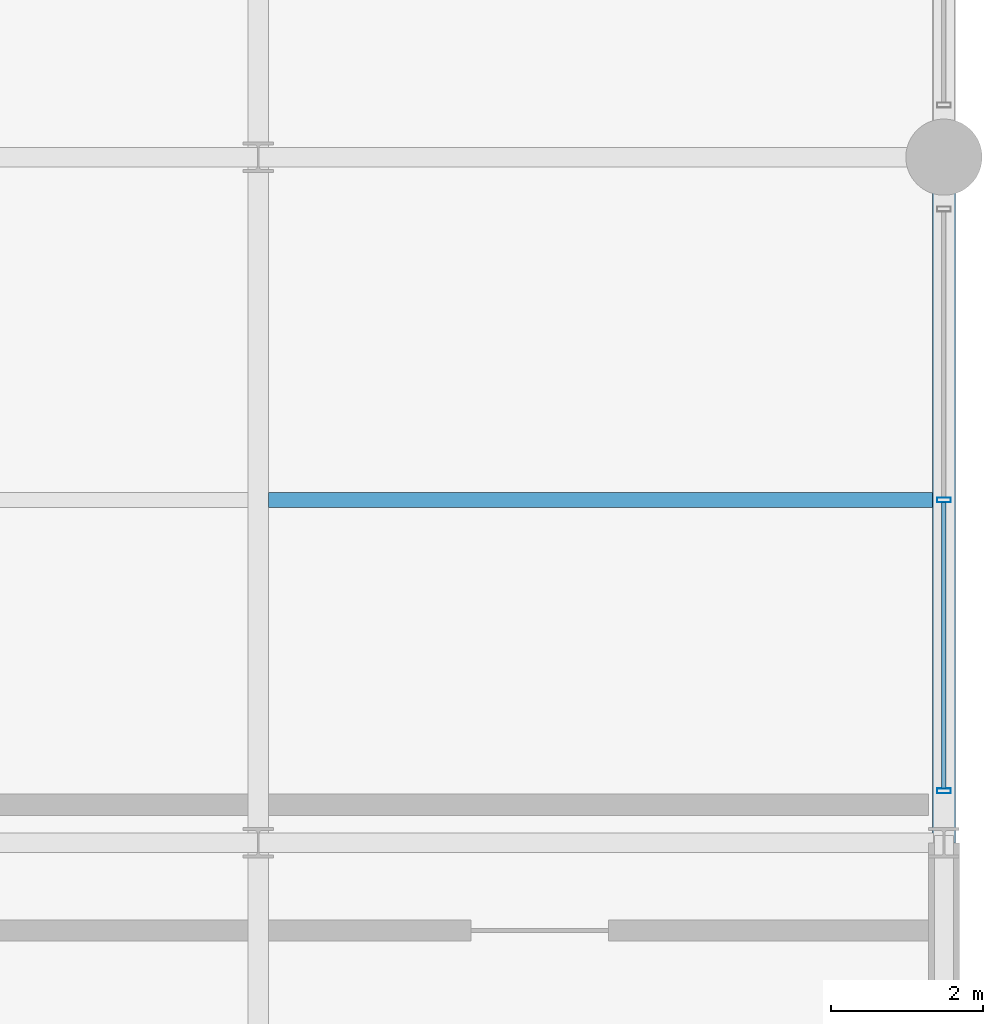
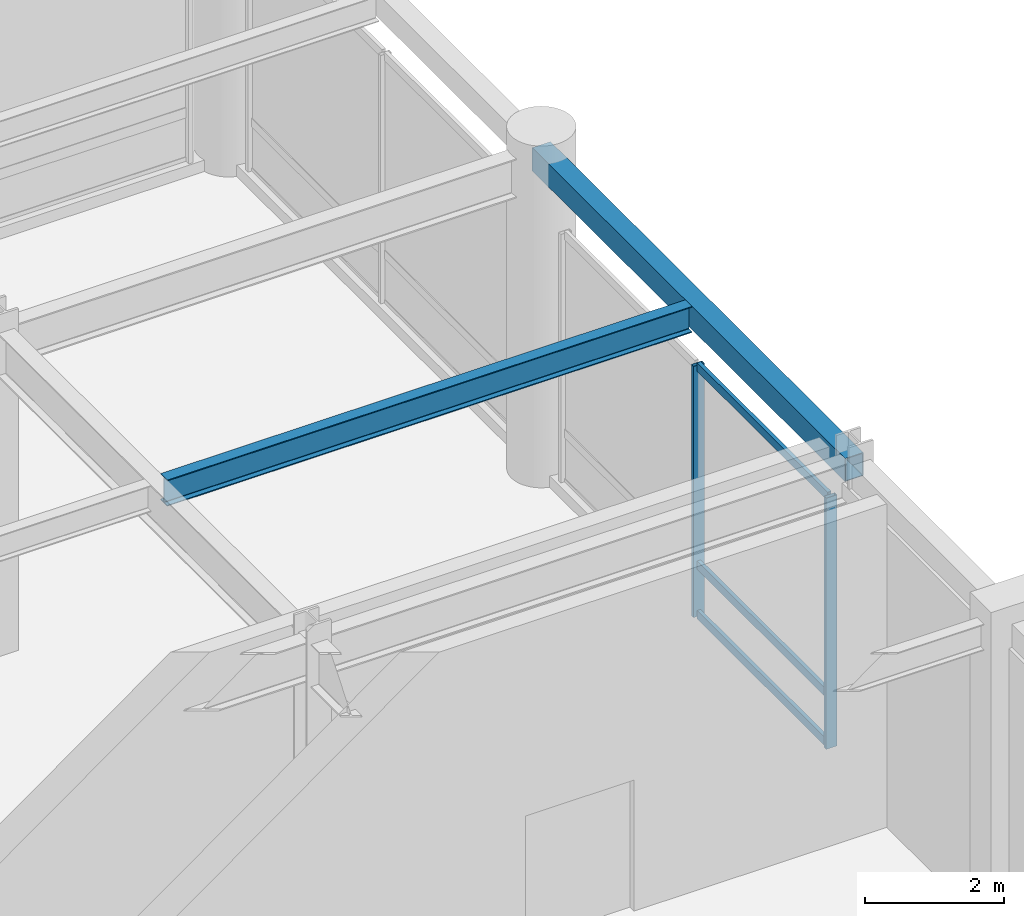
# One storey, part 43 of 105: 5 members, 2 beams, 1 element without a shape of its own.
"""IFC4 building model written with IfcOpenShell, lengths in metres."""

from ifc_helpers import new_model, si_unit, direction, frame, origin, origin_2d, place, context, subcontext, project, spatial, hollow_rectangle, i_section, extrude, material, material_profile, profile_set, type_object, element, aggregate, save


model = new_model("IFC4")

# Units and contexts
model_context = context("Model", 3, precision=1e-05, world=origin(), true_north=direction((0.0, 1.0)))
body_context = subcontext(model_context, "Body", "Model", "MODEL_VIEW")
ifc_project = project(units=[si_unit("LENGTHUNIT", "METRE"), si_unit("AREAUNIT", "SQUARE_METRE"), si_unit("VOLUMEUNIT", "CUBIC_METRE"), si_unit("PLANEANGLEUNIT", "RADIAN"), si_unit("MASSUNIT", "GRAM", prefix="KILO")], contexts=[model_context])

# Site, building, storey
site_placement = place(None, origin())
site = spatial("IfcSite", under=ifc_project, at=site_placement, CompositionType="ELEMENT")
building_placement = place(site_placement, origin())
building = spatial("IfcBuilding", under=site, at=building_placement, Name="Kaldorvane Square Convention Centre", CompositionType="ELEMENT")
storey_placement = place(building_placement, frame((0.0, 0.0, 6.0)))
storey = spatial("IfcBuildingStorey", under=building, at=storey_placement, Name="L01", CompositionType="ELEMENT", Elevation=6.0)

# Beams
ifc_material_1 = material(Name="Steel ASTM A992 Gr. 50", Category="steel")
ifc_material_profile_1 = material_profile(ifc_material_1, i_section(OverallWidth=0.1912994384765625, OverallDepth=0.4600067138671875, WebThickness=0.0099029541015625, FlangeThickness=0.0160064697265625, FilletRadius=0.01019287109375, at=origin_2d()), Name="W18X55")
ifc_profile_set_1 = profile_set([ifc_material_profile_1], Name="Steel ASTM A992 Gr. 50")
beam_type_1 = type_object("IfcBeamType", Name="BM-JS-W18X55", PredefinedType="JOIST", material=ifc_profile_set_1)
beam_1_placement = place(storey_placement, frame((165.13330078125, 22.5, 5.4459991455078125), z_axis=(1.0, 0.0, 0.0), x_axis=(0.0, 1.0, 0.0)))
element("IfcBeam", 1, at=beam_1_placement, inside=storey, type_object=beam_type_1, Name="Secondary Floor Joist (L01)", PredefinedType="JOIST", context=body_context, shape_type="SweptSolid", body=[
    extrude(i_section(OverallWidth=0.1912994384765625, OverallDepth=0.4600067138671875, WebThickness=0.0099029541015625, FlangeThickness=0.0160064697265625, FilletRadius=0.01019287109375, at=origin_2d()), origin(), (0.0, 0.0, 1.0), 8.71429443359375),
])
ifc_material_2 = material(Name="Steel ASTM A500 Gr. C", Category="steel")
ifc_material_profile_2 = material_profile(ifc_material_2, hollow_rectangle(XDim=0.3047943115234375, YDim=0.406402587890625, WallThickness=0.0117950439453125, at=origin_2d()), Name="HSS16X12X1/2")
ifc_profile_set_2 = profile_set([ifc_material_profile_2], Name="Steel ASTM A500 Gr. C")
beam_type_2 = type_object("IfcBeamType", Name="BM-SP-HSS16", PredefinedType="SPANDREL", material=ifc_profile_set_2)
beam_2_placement = place(storey_placement, frame((174.0, 18.0, 5.4727935791015625), z_axis=(0.0, 1.0, 0.0), x_axis=(-1.0, 0.0, 0.0)))
element("IfcBeam", 2, at=beam_2_placement, inside=storey, type_object=beam_type_2, Name="End Spandrel (L01)", PredefinedType="SPANDREL", context=body_context, shape_type="SweptSolid", body=[
    extrude(hollow_rectangle(XDim=0.3047943115234375, YDim=0.406402587890625, WallThickness=0.0117950439453125, at=origin_2d()), origin(), (0.0, 0.0, 1.0), 9.0),
])

# Curtain wall, members
ifc_material_3 = material(Name="Anodized Aluminum and Low-E Insulated Glazing", Category="aluminium")
curtain_wall_type = type_object("IfcCurtainWallType", Name="CW-UNI-P60-09", PredefinedType="USERDEFINED", material=ifc_material_3)
curtain_wall_placement = place(storey_placement, origin())
curtain_wall = element("IfcCurtainWall", 3, at=curtain_wall_placement, inside=storey, type_object=curtain_wall_type, Name="Curtain Wall CW-02 (L01)", ObjectType="UNITISED GLAZING", PredefinedType="USERDEFINED")
ifc_material_profile_3 = material_profile(ifc_material_3, hollow_rectangle(XDim=0.06500244140625, YDim=0.17999267578125, WallThickness=0.0034942626953125, at=origin_2d()), Name="CWM-180X65")
ifc_profile_set_3 = profile_set([ifc_material_profile_3], Name="Anodized Aluminum and Low-E Insulated Glazing")
member_type_1 = type_object("IfcMemberType", Name="CW-MUL-180", PredefinedType="MULLION", material=ifc_profile_set_3)
member_1_placement = place(storey_placement, frame((174.0, 18.6824951171875, 0.149993896484375), z_axis=(0.0, 0.0, 1.0), x_axis=(0.0, 1.0, 0.0)))
member_1 = element("IfcMember", 4, at=member_1_placement, type_object=member_type_1, Name="CW-02 mullion 1", PredefinedType="MULLION", context=body_context, shape_type="SweptSolid", body=[
    extrude(hollow_rectangle(XDim=0.06500244140625, YDim=0.17999267578125, WallThickness=0.0034942626953125, at=origin_2d()), origin(), (0.0, 0.0, 1.0), 4.410003662109375),
])
member_2_placement = place(storey_placement, frame((174.0, 22.5, 0.149993896484375), z_axis=(0.0, 0.0, 1.0), x_axis=(0.0, 1.0, 0.0)))
member_2 = element("IfcMember", 5, at=member_2_placement, type_object=member_type_1, Name="CW-02 mullion 2", PredefinedType="MULLION", context=body_context, shape_type="SweptSolid", body=[
    extrude(hollow_rectangle(XDim=0.06500244140625, YDim=0.17999267578125, WallThickness=0.0034942626953125, at=origin_2d()), origin(), (0.0, 0.0, 1.0), 4.410003662109375),
])
ifc_material_profile_4 = material_profile(ifc_material_3, hollow_rectangle(XDim=0.05999755859375, YDim=0.149993896484375, WallThickness=0.003204345703125, at=origin_2d()), Name="CWT-150X60")
ifc_profile_set_4 = profile_set([ifc_material_profile_4], Name="Anodized Aluminum and Low-E Insulated Glazing")
member_type_2 = type_object("IfcMemberType", Name="CW-TRN-150", PredefinedType="USERDEFINED", material=ifc_profile_set_4)
member_3_placement = place(storey_placement, frame((174.0, 18.714996337890625, 0.17999267578125), z_axis=(0.0, 1.0, 0.0), x_axis=(-1.0, 0.0, 0.0)))
member_3 = element("IfcMember", 6, at=member_3_placement, type_object=member_type_2, Name="CW-02 transom 1.1", ObjectType="TRANSOM", PredefinedType="USERDEFINED", context=body_context, shape_type="SweptSolid", body=[
    extrude(hollow_rectangle(XDim=0.05999755859375, YDim=0.149993896484375, WallThickness=0.003204345703125, at=origin_2d()), origin(), (0.0, 0.0, 1.0), 3.75250244140625),
])
member_4_placement = place(storey_placement, frame((174.0, 18.714996337890625, 1.0500030517578125), z_axis=(0.0, 1.0, 0.0), x_axis=(-1.0, 0.0, 0.0)))
member_4 = element("IfcMember", 7, at=member_4_placement, type_object=member_type_2, Name="CW-02 transom 1.2", ObjectType="TRANSOM", PredefinedType="USERDEFINED", context=body_context, shape_type="SweptSolid", body=[
    extrude(hollow_rectangle(XDim=0.05999755859375, YDim=0.149993896484375, WallThickness=0.003204345703125, at=origin_2d()), origin(), (0.0, 0.0, 1.0), 3.75250244140625),
])
member_5_placement = place(storey_placement, frame((174.0, 18.714996337890625, 4.529998779296875), z_axis=(0.0, 1.0, 0.0), x_axis=(-1.0, 0.0, 0.0)))
member_5 = element("IfcMember", 8, at=member_5_placement, type_object=member_type_2, Name="CW-02 transom 1.3", ObjectType="TRANSOM", PredefinedType="USERDEFINED", context=body_context, shape_type="SweptSolid", body=[
    extrude(hollow_rectangle(XDim=0.05999755859375, YDim=0.149993896484375, WallThickness=0.003204345703125, at=origin_2d()), origin(), (0.0, 0.0, 1.0), 3.75250244140625),
])
aggregate(curtain_wall, [member_1, member_2, member_3, member_4, member_5])

save(model, "model.ifc")
